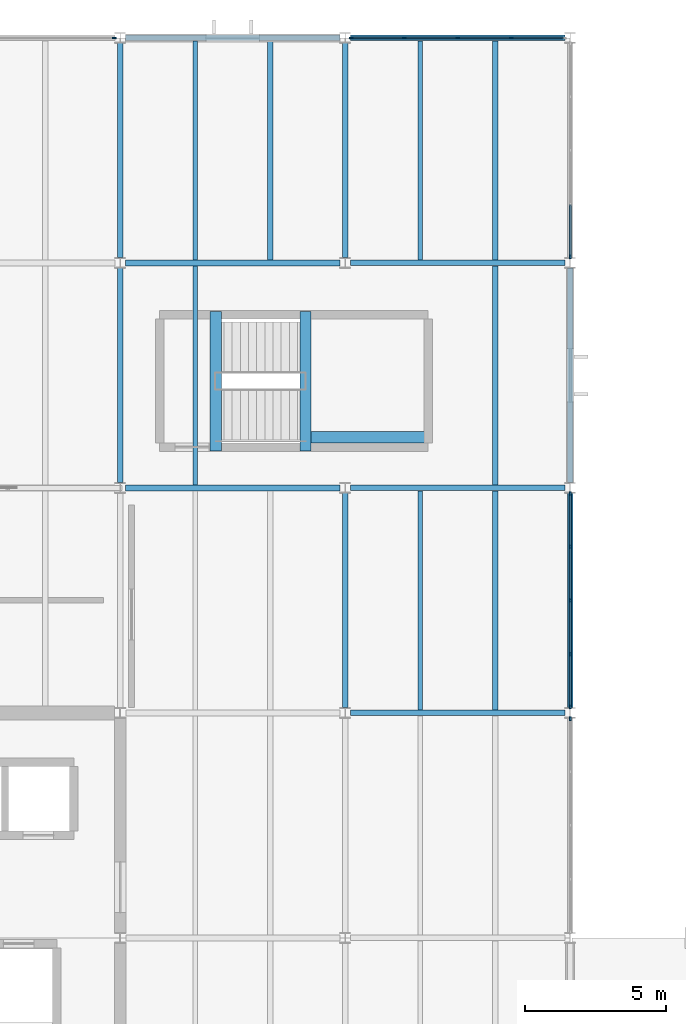
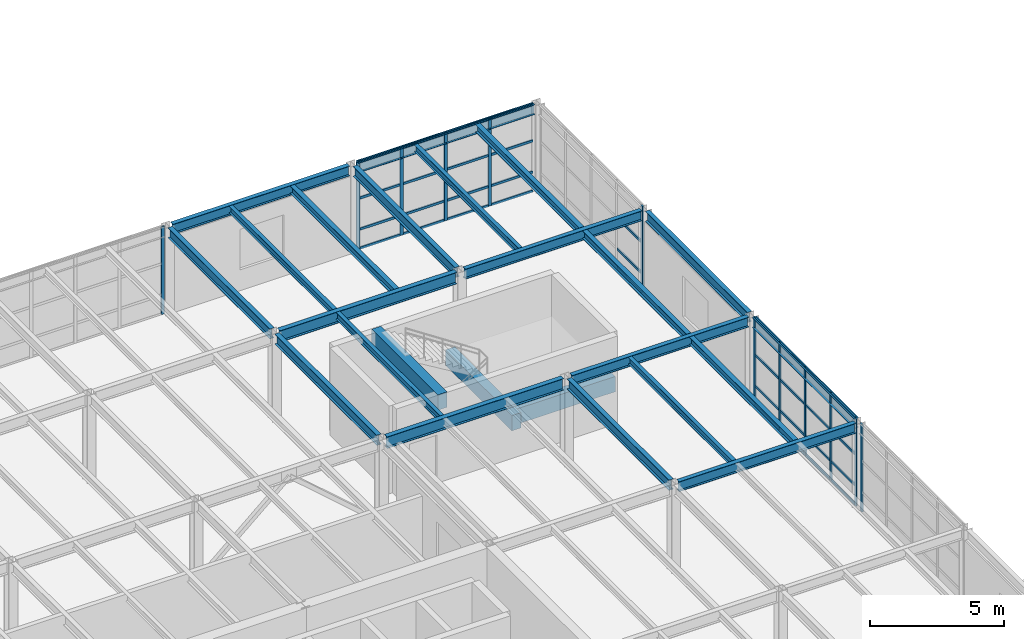
# One storey, part 20 of 50: 47 members, 24 beams, 5 elements without a shape of their own.
"""IFC4 building model written with IfcOpenShell, lengths in metres."""

from ifc_helpers import new_model, si_unit, direction, frame, origin, origin_2d, place, context, subcontext, project, spatial, rectangle, i_section, extrude, material, layer, layer_set, material_profile, profile_set, type_object, element, aggregate, save


model = new_model("IFC4")

# Units and contexts
model_context = context("Model", 3, precision=1e-05, world=origin(), true_north=direction((0.0, 1.0)))
body_context = subcontext(model_context, "Body", "Model", "MODEL_VIEW")
ifc_project = project(units=[si_unit("LENGTHUNIT", "METRE"), si_unit("AREAUNIT", "SQUARE_METRE"), si_unit("VOLUMEUNIT", "CUBIC_METRE"), si_unit("PLANEANGLEUNIT", "RADIAN"), si_unit("MASSUNIT", "GRAM", prefix="KILO")], contexts=[model_context])

# Site, building, storey
site_placement = place(None, origin())
site = spatial("IfcSite", under=ifc_project, at=site_placement, CompositionType="ELEMENT")
building_placement = place(site_placement, origin())
building = spatial("IfcBuilding", under=site, at=building_placement, Name="Varnela Railside Interchange", CompositionType="ELEMENT")
storey_placement = place(building_placement, frame((0.0, 0.0, 15.39990234375)))
storey = spatial("IfcBuildingStorey", under=building, at=storey_placement, Name="L03", CompositionType="ELEMENT", Elevation=15.39990234375)

# Beams
ifc_material_1 = material(Name="Steel AR 350 (350 MPa)", Category="steel")
ifc_material_profile_1 = material_profile(ifc_material_1, i_section(OverallWidth=0.1650390625, OverallDepth=0.31005859375, WebThickness=0.005859375, FlangeThickness=0.009765625, at=origin_2d()), Name="W310x38.7")
ifc_profile_set_1 = profile_set([ifc_material_profile_1], Name="Steel AR 350 (350 MPa)")
beam_type_1 = type_object("IfcBeamType", Name="Composite Floor Joist J-04", PredefinedType="JOIST", material=ifc_profile_set_1)
for number, where, z_axis, x_axis, name in (
    (1, (38.669921875, 78.1044921875, 3.84521484375), (0.0, 1.0, 0.0), (-1.0, 0.0, 0.0), "Composite Floor Joist J-04 (L03) (BM-2201)"),
    (2, (38.669921875, 86.1044921875, 3.84521484375), (0.0, 1.0, 0.0), (-1.0, 0.0, 0.0), "Composite Floor Joist J-04 (L03) (BM-2191)"),
    (3, (46.669921875, 70.1044921875, 3.84521484375), (0.0, 1.0, 0.0), (-1.0, 0.0, 0.0), "Composite Floor Joist J-04 (L03) (BM-2210)"),
    (4, (46.669921875, 86.1044921875, 3.84521484375), (0.0, 1.0, 0.0), (-1.0, 0.0, 0.0), "Composite Floor Joist J-04 (L03) (BM-2202)"),
):
    element("IfcBeam", number, at=place(storey_placement, frame(where, z_axis=z_axis, x_axis=x_axis)), inside=storey, type_object=beam_type_1, Name=name, PredefinedType="JOIST", context=body_context, shape_type="SweptSolid", body=[
        extrude(i_section(OverallWidth=0.1650390625, OverallDepth=0.31005859375, WebThickness=0.005859375, FlangeThickness=0.009765625, at=origin_2d()), origin(), (0.0, 0.0, 1.0), 7.791015625),
    ])
ifc_material_profile_2 = material_profile(ifc_material_1, i_section(OverallWidth=0.208984375, OverallDepth=0.532958984375, WebThickness=0.01025390625, FlangeThickness=0.015625, at=origin_2d()), Name="W530x92")
ifc_profile_set_2 = profile_set([ifc_material_profile_2], Name="Steel AR 350 (350 MPa)")
beam_type_2 = type_object("IfcBeamType", Name="Composite Girder B-18", PredefinedType="BEAM", material=ifc_profile_set_2)
for number, where, z_axis, x_axis, name in (
    (5, (36.1865234375, 78.0, 3.733642578125), (1.0, 0.0, 0.0), (0.0, 1.0, 0.0), "Composite Girder B-18 (L03) (BM-2255)"),
    (6, (36.1865234375, 86.0, 3.733642578125), (1.0, 0.0, 0.0), (0.0, 1.0, 0.0), "Composite Girder B-18 (L03) (BM-2264)"),
):
    element("IfcBeam", number, at=place(storey_placement, frame(where, z_axis=z_axis, x_axis=x_axis)), inside=storey, type_object=beam_type_2, Name=name, PredefinedType="BEAM", context=body_context, shape_type="SweptSolid", body=[
        extrude(i_section(OverallWidth=0.208984375, OverallDepth=0.532958984375, WebThickness=0.01025390625, FlangeThickness=0.015625, at=origin_2d()), origin(), (0.0, 0.0, 1.0), 7.626953125),
    ])
ifc_material_profile_3 = material_profile(ifc_material_1, i_section(OverallWidth=0.202880859375, OverallDepth=0.346923828125, WebThickness=0.0078125, FlangeThickness=0.013427734375, at=origin_2d()), Name="W360x64")
ifc_profile_set_3 = profile_set([ifc_material_profile_3], Name="Steel AR 350 (350 MPa)")
beam_type_3 = type_object("IfcBeamType", Name="Composite Heavy Joist J-01", PredefinedType="JOIST", material=ifc_profile_set_3)
for number, where, z_axis, x_axis, name in (
    (7, (41.330078125, 86.1044921875, 3.82666015625), (0.0, 1.0, 0.0), (-1.0, 0.0, 0.0), "Composite Heavy Joist J-01 (L03) (BM-2192)"),
    (8, (49.330078125, 70.1044921875, 3.82666015625), (0.0, 1.0, 0.0), (-1.0, 0.0, 0.0), "Composite Heavy Joist J-01 (L03) (BM-2211)"),
    (9, (49.330078125, 78.1044921875, 3.82666015625), (0.0, 1.0, 0.0), (-1.0, 0.0, 0.0), "Composite Heavy Joist J-01 (L03) (BM-2212)"),
    (10, (49.330078125, 86.1044921875, 3.82666015625), (0.0, 1.0, 0.0), (-1.0, 0.0, 0.0), "Composite Heavy Joist J-01 (L03) (BM-2203)"),
):
    element("IfcBeam", number, at=place(storey_placement, frame(where, z_axis=z_axis, x_axis=x_axis)), inside=storey, type_object=beam_type_3, Name=name, PredefinedType="JOIST", context=body_context, shape_type="SweptSolid", body=[
        extrude(i_section(OverallWidth=0.202880859375, OverallDepth=0.346923828125, WebThickness=0.0078125, FlangeThickness=0.013427734375, at=origin_2d()), origin(), (0.0, 0.0, 1.0), 7.791015625),
    ])
ifc_material_profile_4 = material_profile(ifc_material_1, i_section(OverallWidth=0.194091796875, OverallDepth=0.468994140625, WebThickness=0.0126953125, FlangeThickness=0.0205078125, at=origin_2d()), Name="W460x106")
ifc_profile_set_4 = profile_set([ifc_material_profile_4], Name="Steel AR 350 (350 MPa)")
beam_type_4 = type_object("IfcBeamType", Name="Composite Primary Beam B-19", PredefinedType="BEAM", material=ifc_profile_set_4)
for number, where, z_axis, x_axis, name in (
    (11, (36.0, 78.18408203125, 3.765625), (0.0, 1.0, 0.0), (-1.0, 0.0, 0.0), "Composite Primary Beam B-19 (L03) (BM-2327)"),
    (12, (44.0, 70.18408203125, 3.765625), (0.0, 1.0, 0.0), (-1.0, 0.0, 0.0), "Composite Primary Beam B-19 (L03) (BM-2333)"),
):
    element("IfcBeam", number, at=place(storey_placement, frame(where, z_axis=z_axis, x_axis=x_axis)), inside=storey, type_object=beam_type_4, Name=name, PredefinedType="BEAM", context=body_context, shape_type="SweptSolid", body=[
        extrude(i_section(OverallWidth=0.194091796875, OverallDepth=0.468994140625, WebThickness=0.0126953125, FlangeThickness=0.0205078125, at=origin_2d()), origin(), (0.0, 0.0, 1.0), 7.6318359375),
    ])
ifc_material_2 = material(Name="Concrete C40", Category="concrete")
ifc_material_profile_5 = material_profile(ifc_material_2, rectangle(XDim=0.39990234375, YDim=0.699951171875, at=origin_2d()), Name="RC 400x700")
ifc_profile_set_5 = profile_set([ifc_material_profile_5], Name="Concrete C40")
beam_type_5 = type_object("IfcBeamType", Name="Concrete Tie Beam B-01", PredefinedType="BEAM", material=ifc_profile_set_5)
for number, where, z_axis, x_axis, name in (
    (13, (39.39990234375, 79.320068359375, 3.650146484375), (0.0, 1.0, 0.0), (-1.0, 0.0, 0.0), "Concrete Tie Beam B-01 (L03) (BM-2365)"),
    (14, (42.590087890625, 79.320068359375, 1.590087890625), (0.0, 1.0, 0.0), (-1.0, 0.0, 0.0), "Concrete Tie Beam B-01 (L03) (BM-2359)"),
):
    element("IfcBeam", number, at=place(storey_placement, frame(where, z_axis=z_axis, x_axis=x_axis)), inside=storey, type_object=beam_type_5, Name=name, PredefinedType="BEAM", context=body_context, shape_type="SweptSolid", body=[
        extrude(rectangle(XDim=0.39990234375, YDim=0.699951171875, at=origin_2d()), origin(), (0.0, 0.0, 1.0), 4.9599609375),
    ])
beam_placement = place(storey_placement, frame((42.7900390625, 79.800048828125, 1.590087890625), z_axis=(1.0, 0.0, 0.0), x_axis=(0.0, 1.0, 0.0)))
element("IfcBeam", 15, at=beam_placement, inside=storey, type_object=beam_type_5, Name="Concrete Tie Beam B-01 (L03) (BM-2353)", PredefinedType="BEAM", context=body_context, shape_type="SweptSolid", body=[
    extrude(rectangle(XDim=0.39990234375, YDim=0.699951171875, at=origin_2d()), origin(), (0.0, 0.0, 1.0), 4.22998046875),
])

# Curtain wall, member
ifc_material_3 = material(Name="Aluminium 6063-T6", Category="aluminium")
ifc_layer = layer(ifc_material_3, 0.035888671875)
ifc_layer_set = layer_set([ifc_layer], Name="Aluminium 6063-T6")
curtain_wall_type = type_object("IfcCurtainWallType", Name="Operations Wing Facade Curtain Wall CW-03", PredefinedType="USERDEFINED", material=ifc_layer_set)
curtain_wall_1_placement = place(storey_placement, origin())
curtain_wall_1 = element("IfcCurtainWall", 16, at=curtain_wall_1_placement, inside=storey, type_object=curtain_wall_type, Name="Curtain Wall CW-03 (L03) (CW-082)", ObjectType="CURTAIN WALL", PredefinedType="USERDEFINED")
ifc_material_profile_6 = material_profile(ifc_material_3, rectangle(XDim=0.06005859375, YDim=0.139892578125, at=origin_2d()), Name="ALU 60x140")
ifc_profile_set_6 = profile_set([ifc_material_profile_6], Name="Aluminium 6063-T6")
member_type_1 = type_object("IfcMemberType", Name="Curtain Wall Mullion ML-01", PredefinedType="MULLION", material=ifc_profile_set_6)
member_1_placement = place(storey_placement, frame((35.783447265625, 94.0, 0.0), z_axis=(0.0, 0.0, 1.0), x_axis=(0.0, 1.0, 0.0)))
member_1 = element("IfcMember", 17, at=member_1_placement, type_object=member_type_1, Name="CW-03 mullion 5", PredefinedType="MULLION", context=body_context, shape_type="SweptSolid", body=[
    extrude(rectangle(XDim=0.06005859375, YDim=0.139892578125, at=origin_2d()), origin(), (0.0, 0.0, 1.0), 4.0),
])
aggregate(curtain_wall_1, [member_1])

# Curtain wall, members
curtain_wall_2_placement = place(storey_placement, origin())
curtain_wall_2 = element("IfcCurtainWall", 18, at=curtain_wall_2_placement, inside=storey, type_object=curtain_wall_type, Name="Curtain Wall CW-03 (L03) (CW-083)", ObjectType="CURTAIN WALL", PredefinedType="USERDEFINED")
member_2_placement = place(storey_placement, frame((44.216552734375, 94.0, 0.0), z_axis=(0.0, 0.0, 1.0), x_axis=(0.0, 1.0, 0.0)))
member_2 = element("IfcMember", 19, at=member_2_placement, type_object=member_type_1, Name="CW-03 mullion 1", PredefinedType="MULLION", context=body_context, shape_type="SweptSolid", body=[
    extrude(rectangle(XDim=0.06005859375, YDim=0.139892578125, at=origin_2d()), origin(), (0.0, 0.0, 1.0), 4.0),
])
member_3_placement = place(storey_placement, frame((46.09326171875, 94.0, 0.0), z_axis=(0.0, 0.0, 1.0), x_axis=(0.0, 1.0, 0.0)))
member_3 = element("IfcMember", 20, at=member_3_placement, type_object=member_type_1, Name="CW-03 mullion 2", PredefinedType="MULLION", context=body_context, shape_type="SweptSolid", body=[
    extrude(rectangle(XDim=0.06005859375, YDim=0.139892578125, at=origin_2d()), origin(), (0.0, 0.0, 1.0), 4.0),
])
member_4_placement = place(storey_placement, frame((48.0, 94.0, 0.0), z_axis=(0.0, 0.0, 1.0), x_axis=(0.0, 1.0, 0.0)))
member_4 = element("IfcMember", 21, at=member_4_placement, type_object=member_type_1, Name="CW-03 mullion 3", PredefinedType="MULLION", context=body_context, shape_type="SweptSolid", body=[
    extrude(rectangle(XDim=0.06005859375, YDim=0.139892578125, at=origin_2d()), origin(), (0.0, 0.0, 1.0), 4.0),
])
member_5_placement = place(storey_placement, frame((49.90673828125, 94.0, 0.0), z_axis=(0.0, 0.0, 1.0), x_axis=(0.0, 1.0, 0.0)))
member_5 = element("IfcMember", 22, at=member_5_placement, type_object=member_type_1, Name="CW-03 mullion 4", PredefinedType="MULLION", context=body_context, shape_type="SweptSolid", body=[
    extrude(rectangle(XDim=0.06005859375, YDim=0.139892578125, at=origin_2d()), origin(), (0.0, 0.0, 1.0), 4.0),
])

# Curtain wall, member
curtain_wall_3_placement = place(storey_placement, origin())
curtain_wall_3 = element("IfcCurtainWall", 23, at=curtain_wall_3_placement, inside=storey, type_object=curtain_wall_type, Name="Curtain Wall CW-03 (L03) (CW-085)", ObjectType="CURTAIN WALL", PredefinedType="USERDEFINED")
member_6_placement = place(storey_placement, frame((52.0, 86.214111328125, 0.0), z_axis=(0.0, 0.0, 1.0), x_axis=(1.0, 0.0, 0.0)))
member_6 = element("IfcMember", 24, at=member_6_placement, type_object=member_type_1, Name="CW-03 mullion 5", PredefinedType="MULLION", context=body_context, shape_type="SweptSolid", body=[
    extrude(rectangle(XDim=0.06005859375, YDim=0.139892578125, at=origin_2d()), origin(), (0.0, 0.0, 1.0), 4.0),
])

# Curtain wall, members
curtain_wall_4_placement = place(storey_placement, origin())
curtain_wall_4 = element("IfcCurtainWall", 25, at=curtain_wall_4_placement, inside=storey, type_object=curtain_wall_type, Name="Curtain Wall CW-03 (L03) (CW-086)", ObjectType="CURTAIN WALL", PredefinedType="USERDEFINED")
member_7_placement = place(storey_placement, frame((52.0, 77.785888671875, 0.0), z_axis=(0.0, 0.0, 1.0), x_axis=(1.0, 0.0, 0.0)))
member_7 = element("IfcMember", 26, at=member_7_placement, type_object=member_type_1, Name="CW-03 mullion 1", PredefinedType="MULLION", context=body_context, shape_type="SweptSolid", body=[
    extrude(rectangle(XDim=0.06005859375, YDim=0.139892578125, at=origin_2d()), origin(), (0.0, 0.0, 1.0), 4.0),
])
member_8_placement = place(storey_placement, frame((52.0, 75.907958984375, 0.0), z_axis=(0.0, 0.0, 1.0), x_axis=(1.0, 0.0, 0.0)))
member_8 = element("IfcMember", 27, at=member_8_placement, type_object=member_type_1, Name="CW-03 mullion 2", PredefinedType="MULLION", context=body_context, shape_type="SweptSolid", body=[
    extrude(rectangle(XDim=0.06005859375, YDim=0.139892578125, at=origin_2d()), origin(), (0.0, 0.0, 1.0), 4.0),
])
member_9_placement = place(storey_placement, frame((52.0, 74.0, 0.0), z_axis=(0.0, 0.0, 1.0), x_axis=(1.0, 0.0, 0.0)))
member_9 = element("IfcMember", 28, at=member_9_placement, type_object=member_type_1, Name="CW-03 mullion 3", PredefinedType="MULLION", context=body_context, shape_type="SweptSolid", body=[
    extrude(rectangle(XDim=0.06005859375, YDim=0.139892578125, at=origin_2d()), origin(), (0.0, 0.0, 1.0), 4.0),
])
member_10_placement = place(storey_placement, frame((52.0, 72.092041015625, 0.0), z_axis=(0.0, 0.0, 1.0), x_axis=(1.0, 0.0, 0.0)))
member_10 = element("IfcMember", 29, at=member_10_placement, type_object=member_type_1, Name="CW-03 mullion 4", PredefinedType="MULLION", context=body_context, shape_type="SweptSolid", body=[
    extrude(rectangle(XDim=0.06005859375, YDim=0.139892578125, at=origin_2d()), origin(), (0.0, 0.0, 1.0), 4.0),
])
member_11_placement = place(storey_placement, frame((52.0, 70.214111328125, 0.0), z_axis=(0.0, 0.0, 1.0), x_axis=(1.0, 0.0, 0.0)))
member_11 = element("IfcMember", 30, at=member_11_placement, type_object=member_type_1, Name="CW-03 mullion 5", PredefinedType="MULLION", context=body_context, shape_type="SweptSolid", body=[
    extrude(rectangle(XDim=0.06005859375, YDim=0.139892578125, at=origin_2d()), origin(), (0.0, 0.0, 1.0), 4.0),
])

# Curtain wall, member
curtain_wall_5_placement = place(storey_placement, origin())
curtain_wall_5 = element("IfcCurtainWall", 31, at=curtain_wall_5_placement, inside=storey, type_object=curtain_wall_type, Name="Curtain Wall CW-03 (L03) (CW-087)", ObjectType="CURTAIN WALL", PredefinedType="USERDEFINED")
member_12_placement = place(storey_placement, frame((52.0, 69.785888671875, 0.0), z_axis=(0.0, 0.0, 1.0), x_axis=(1.0, 0.0, 0.0)))
member_12 = element("IfcMember", 32, at=member_12_placement, type_object=member_type_1, Name="CW-03 mullion 1", PredefinedType="MULLION", context=body_context, shape_type="SweptSolid", body=[
    extrude(rectangle(XDim=0.06005859375, YDim=0.139892578125, at=origin_2d()), origin(), (0.0, 0.0, 1.0), 4.0),
])
aggregate(curtain_wall_5, [member_12])

# Member
ifc_material_profile_7 = material_profile(ifc_material_3, rectangle(XDim=0.06005859375, YDim=0.110107421875, at=origin_2d()), Name="ALU 60x110")
ifc_profile_set_7 = profile_set([ifc_material_profile_7], Name="Aluminium 6063-T6")
member_type_2 = type_object("IfcMemberType", Name="Curtain Wall Transom TR-01", PredefinedType="USERDEFINED", material=ifc_profile_set_7)
member_13_placement = place(storey_placement, frame((44.24658203125, 94.0, 0.030029296875), z_axis=(1.0, 0.0, 0.0), x_axis=(0.0, 1.0, 0.0)))
member_13 = element("IfcMember", 33, at=member_13_placement, type_object=member_type_2, Name="CW-03 transom 1.1", ObjectType="TRANSOM", PredefinedType="USERDEFINED", context=body_context, shape_type="SweptSolid", body=[
    extrude(rectangle(XDim=0.06005859375, YDim=0.110107421875, at=origin_2d()), origin(), (0.0, 0.0, 1.0), 1.816650390625),
])

member_14_placement = place(storey_placement, frame((44.24658203125, 94.0, 0.900146484375), z_axis=(1.0, 0.0, 0.0), x_axis=(0.0, 1.0, 0.0)))
member_14 = element("IfcMember", 34, at=member_14_placement, type_object=member_type_2, Name="CW-03 transom 1.2", ObjectType="TRANSOM", PredefinedType="USERDEFINED", context=body_context, shape_type="SweptSolid", body=[
    extrude(rectangle(XDim=0.06005859375, YDim=0.110107421875, at=origin_2d()), origin(), (0.0, 0.0, 1.0), 1.816650390625),
])

member_15_placement = place(storey_placement, frame((44.24658203125, 94.0, 2.320068359375), z_axis=(1.0, 0.0, 0.0), x_axis=(0.0, 1.0, 0.0)))
member_15 = element("IfcMember", 35, at=member_15_placement, type_object=member_type_2, Name="CW-03 transom 1.3", ObjectType="TRANSOM", PredefinedType="USERDEFINED", context=body_context, shape_type="SweptSolid", body=[
    extrude(rectangle(XDim=0.06005859375, YDim=0.110107421875, at=origin_2d()), origin(), (0.0, 0.0, 1.0), 1.816650390625),
])

member_16_placement = place(storey_placement, frame((44.24658203125, 94.0, 3.97021484375), z_axis=(1.0, 0.0, 0.0), x_axis=(0.0, 1.0, 0.0)))
member_16 = element("IfcMember", 36, at=member_16_placement, type_object=member_type_2, Name="CW-03 transom 1.4", ObjectType="TRANSOM", PredefinedType="USERDEFINED", context=body_context, shape_type="SweptSolid", body=[
    extrude(rectangle(XDim=0.06005859375, YDim=0.110107421875, at=origin_2d()), origin(), (0.0, 0.0, 1.0), 1.816650390625),
])

member_17_placement = place(storey_placement, frame((46.123291015625, 94.0, 0.030029296875), z_axis=(1.0, 0.0, 0.0), x_axis=(0.0, 1.0, 0.0)))
member_17 = element("IfcMember", 37, at=member_17_placement, type_object=member_type_2, Name="CW-03 transom 2.1", ObjectType="TRANSOM", PredefinedType="USERDEFINED", context=body_context, shape_type="SweptSolid", body=[
    extrude(rectangle(XDim=0.06005859375, YDim=0.110107421875, at=origin_2d()), origin(), (0.0, 0.0, 1.0), 1.8466796875),
])

member_18_placement = place(storey_placement, frame((46.123291015625, 94.0, 0.900146484375), z_axis=(1.0, 0.0, 0.0), x_axis=(0.0, 1.0, 0.0)))
member_18 = element("IfcMember", 38, at=member_18_placement, type_object=member_type_2, Name="CW-03 transom 2.2", ObjectType="TRANSOM", PredefinedType="USERDEFINED", context=body_context, shape_type="SweptSolid", body=[
    extrude(rectangle(XDim=0.06005859375, YDim=0.110107421875, at=origin_2d()), origin(), (0.0, 0.0, 1.0), 1.8466796875),
])

member_19_placement = place(storey_placement, frame((46.123291015625, 94.0, 2.320068359375), z_axis=(1.0, 0.0, 0.0), x_axis=(0.0, 1.0, 0.0)))
member_19 = element("IfcMember", 39, at=member_19_placement, type_object=member_type_2, Name="CW-03 transom 2.3", ObjectType="TRANSOM", PredefinedType="USERDEFINED", context=body_context, shape_type="SweptSolid", body=[
    extrude(rectangle(XDim=0.06005859375, YDim=0.110107421875, at=origin_2d()), origin(), (0.0, 0.0, 1.0), 1.8466796875),
])

member_20_placement = place(storey_placement, frame((46.123291015625, 94.0, 3.97021484375), z_axis=(1.0, 0.0, 0.0), x_axis=(0.0, 1.0, 0.0)))
member_20 = element("IfcMember", 40, at=member_20_placement, type_object=member_type_2, Name="CW-03 transom 2.4", ObjectType="TRANSOM", PredefinedType="USERDEFINED", context=body_context, shape_type="SweptSolid", body=[
    extrude(rectangle(XDim=0.06005859375, YDim=0.110107421875, at=origin_2d()), origin(), (0.0, 0.0, 1.0), 1.8466796875),
])

member_21_placement = place(storey_placement, frame((48.030029296875, 94.0, 0.030029296875), z_axis=(1.0, 0.0, 0.0), x_axis=(0.0, 1.0, 0.0)))
member_21 = element("IfcMember", 41, at=member_21_placement, type_object=member_type_2, Name="CW-03 transom 3.1", ObjectType="TRANSOM", PredefinedType="USERDEFINED", context=body_context, shape_type="SweptSolid", body=[
    extrude(rectangle(XDim=0.06005859375, YDim=0.110107421875, at=origin_2d()), origin(), (0.0, 0.0, 1.0), 1.8466796875),
])

member_22_placement = place(storey_placement, frame((48.030029296875, 94.0, 0.900146484375), z_axis=(1.0, 0.0, 0.0), x_axis=(0.0, 1.0, 0.0)))
member_22 = element("IfcMember", 42, at=member_22_placement, type_object=member_type_2, Name="CW-03 transom 3.2", ObjectType="TRANSOM", PredefinedType="USERDEFINED", context=body_context, shape_type="SweptSolid", body=[
    extrude(rectangle(XDim=0.06005859375, YDim=0.110107421875, at=origin_2d()), origin(), (0.0, 0.0, 1.0), 1.8466796875),
])

member_23_placement = place(storey_placement, frame((48.030029296875, 94.0, 2.320068359375), z_axis=(1.0, 0.0, 0.0), x_axis=(0.0, 1.0, 0.0)))
member_23 = element("IfcMember", 43, at=member_23_placement, type_object=member_type_2, Name="CW-03 transom 3.3", ObjectType="TRANSOM", PredefinedType="USERDEFINED", context=body_context, shape_type="SweptSolid", body=[
    extrude(rectangle(XDim=0.06005859375, YDim=0.110107421875, at=origin_2d()), origin(), (0.0, 0.0, 1.0), 1.8466796875),
])

member_24_placement = place(storey_placement, frame((48.030029296875, 94.0, 3.97021484375), z_axis=(1.0, 0.0, 0.0), x_axis=(0.0, 1.0, 0.0)))
member_24 = element("IfcMember", 44, at=member_24_placement, type_object=member_type_2, Name="CW-03 transom 3.4", ObjectType="TRANSOM", PredefinedType="USERDEFINED", context=body_context, shape_type="SweptSolid", body=[
    extrude(rectangle(XDim=0.06005859375, YDim=0.110107421875, at=origin_2d()), origin(), (0.0, 0.0, 1.0), 1.8466796875),
])

member_25_placement = place(storey_placement, frame((49.936767578125, 94.0, 0.030029296875), z_axis=(1.0, 0.0, 0.0), x_axis=(0.0, 1.0, 0.0)))
member_25 = element("IfcMember", 45, at=member_25_placement, type_object=member_type_2, Name="CW-03 transom 4.1", ObjectType="TRANSOM", PredefinedType="USERDEFINED", context=body_context, shape_type="SweptSolid", body=[
    extrude(rectangle(XDim=0.06005859375, YDim=0.110107421875, at=origin_2d()), origin(), (0.0, 0.0, 1.0), 1.816650390625),
])

member_26_placement = place(storey_placement, frame((49.936767578125, 94.0, 0.900146484375), z_axis=(1.0, 0.0, 0.0), x_axis=(0.0, 1.0, 0.0)))
member_26 = element("IfcMember", 46, at=member_26_placement, type_object=member_type_2, Name="CW-03 transom 4.2", ObjectType="TRANSOM", PredefinedType="USERDEFINED", context=body_context, shape_type="SweptSolid", body=[
    extrude(rectangle(XDim=0.06005859375, YDim=0.110107421875, at=origin_2d()), origin(), (0.0, 0.0, 1.0), 1.816650390625),
])

member_27_placement = place(storey_placement, frame((49.936767578125, 94.0, 2.320068359375), z_axis=(1.0, 0.0, 0.0), x_axis=(0.0, 1.0, 0.0)))
member_27 = element("IfcMember", 47, at=member_27_placement, type_object=member_type_2, Name="CW-03 transom 4.3", ObjectType="TRANSOM", PredefinedType="USERDEFINED", context=body_context, shape_type="SweptSolid", body=[
    extrude(rectangle(XDim=0.06005859375, YDim=0.110107421875, at=origin_2d()), origin(), (0.0, 0.0, 1.0), 1.816650390625),
])

member_28_placement = place(storey_placement, frame((49.936767578125, 94.0, 3.97021484375), z_axis=(1.0, 0.0, 0.0), x_axis=(0.0, 1.0, 0.0)))
member_28 = element("IfcMember", 48, at=member_28_placement, type_object=member_type_2, Name="CW-03 transom 4.4", ObjectType="TRANSOM", PredefinedType="USERDEFINED", context=body_context, shape_type="SweptSolid", body=[
    extrude(rectangle(XDim=0.06005859375, YDim=0.110107421875, at=origin_2d()), origin(), (0.0, 0.0, 1.0), 1.816650390625),
])

aggregate(curtain_wall_2, [member_2, member_3, member_4, member_5, member_13, member_14, member_15, member_16, member_17, member_18, member_19, member_20, member_21, member_22, member_23, member_24, member_25, member_26, member_27, member_28])

member_29_placement = place(storey_placement, frame((52.0, 88.06201171875, 0.030029296875), z_axis=(0.0, -1.0, 0.0), x_axis=(1.0, 0.0, 0.0)))
member_29 = element("IfcMember", 49, at=member_29_placement, type_object=member_type_2, Name="CW-03 transom 4.1", ObjectType="TRANSOM", PredefinedType="USERDEFINED", context=body_context, shape_type="SweptSolid", body=[
    extrude(rectangle(XDim=0.06005859375, YDim=0.110107421875, at=origin_2d()), origin(), (0.0, 0.0, 1.0), 1.818115234375),
])

member_30_placement = place(storey_placement, frame((52.0, 88.06201171875, 0.900146484375), z_axis=(0.0, -1.0, 0.0), x_axis=(1.0, 0.0, 0.0)))
member_30 = element("IfcMember", 50, at=member_30_placement, type_object=member_type_2, Name="CW-03 transom 4.2", ObjectType="TRANSOM", PredefinedType="USERDEFINED", context=body_context, shape_type="SweptSolid", body=[
    extrude(rectangle(XDim=0.06005859375, YDim=0.110107421875, at=origin_2d()), origin(), (0.0, 0.0, 1.0), 1.818115234375),
])

member_31_placement = place(storey_placement, frame((52.0, 88.06201171875, 2.320068359375), z_axis=(0.0, -1.0, 0.0), x_axis=(1.0, 0.0, 0.0)))
member_31 = element("IfcMember", 51, at=member_31_placement, type_object=member_type_2, Name="CW-03 transom 4.3", ObjectType="TRANSOM", PredefinedType="USERDEFINED", context=body_context, shape_type="SweptSolid", body=[
    extrude(rectangle(XDim=0.06005859375, YDim=0.110107421875, at=origin_2d()), origin(), (0.0, 0.0, 1.0), 1.818115234375),
])

aggregate(curtain_wall_3, [member_6, member_29, member_30, member_31])

member_32_placement = place(storey_placement, frame((52.0, 77.756103515625, 0.030029296875), z_axis=(0.0, -1.0, 0.0), x_axis=(1.0, 0.0, 0.0)))
member_32 = element("IfcMember", 52, at=member_32_placement, type_object=member_type_2, Name="CW-03 transom 1.1", ObjectType="TRANSOM", PredefinedType="USERDEFINED", context=body_context, shape_type="SweptSolid", body=[
    extrude(rectangle(XDim=0.06005859375, YDim=0.110107421875, at=origin_2d()), origin(), (0.0, 0.0, 1.0), 1.818115234375),
])

member_33_placement = place(storey_placement, frame((52.0, 77.756103515625, 0.900146484375), z_axis=(0.0, -1.0, 0.0), x_axis=(1.0, 0.0, 0.0)))
member_33 = element("IfcMember", 53, at=member_33_placement, type_object=member_type_2, Name="CW-03 transom 1.2", ObjectType="TRANSOM", PredefinedType="USERDEFINED", context=body_context, shape_type="SweptSolid", body=[
    extrude(rectangle(XDim=0.06005859375, YDim=0.110107421875, at=origin_2d()), origin(), (0.0, 0.0, 1.0), 1.818115234375),
])

member_34_placement = place(storey_placement, frame((52.0, 77.756103515625, 2.320068359375), z_axis=(0.0, -1.0, 0.0), x_axis=(1.0, 0.0, 0.0)))
member_34 = element("IfcMember", 54, at=member_34_placement, type_object=member_type_2, Name="CW-03 transom 1.3", ObjectType="TRANSOM", PredefinedType="USERDEFINED", context=body_context, shape_type="SweptSolid", body=[
    extrude(rectangle(XDim=0.06005859375, YDim=0.110107421875, at=origin_2d()), origin(), (0.0, 0.0, 1.0), 1.818115234375),
])

member_35_placement = place(storey_placement, frame((52.0, 77.756103515625, 3.97021484375), z_axis=(0.0, -1.0, 0.0), x_axis=(1.0, 0.0, 0.0)))
member_35 = element("IfcMember", 55, at=member_35_placement, type_object=member_type_2, Name="CW-03 transom 1.4", ObjectType="TRANSOM", PredefinedType="USERDEFINED", context=body_context, shape_type="SweptSolid", body=[
    extrude(rectangle(XDim=0.06005859375, YDim=0.110107421875, at=origin_2d()), origin(), (0.0, 0.0, 1.0), 1.818115234375),
])

member_36_placement = place(storey_placement, frame((52.0, 75.8779296875, 0.030029296875), z_axis=(0.0, -1.0, 0.0), x_axis=(1.0, 0.0, 0.0)))
member_36 = element("IfcMember", 56, at=member_36_placement, type_object=member_type_2, Name="CW-03 transom 2.1", ObjectType="TRANSOM", PredefinedType="USERDEFINED", context=body_context, shape_type="SweptSolid", body=[
    extrude(rectangle(XDim=0.06005859375, YDim=0.110107421875, at=origin_2d()), origin(), (0.0, 0.0, 1.0), 1.847900390625),
])

member_37_placement = place(storey_placement, frame((52.0, 75.8779296875, 0.900146484375), z_axis=(0.0, -1.0, 0.0), x_axis=(1.0, 0.0, 0.0)))
member_37 = element("IfcMember", 57, at=member_37_placement, type_object=member_type_2, Name="CW-03 transom 2.2", ObjectType="TRANSOM", PredefinedType="USERDEFINED", context=body_context, shape_type="SweptSolid", body=[
    extrude(rectangle(XDim=0.06005859375, YDim=0.110107421875, at=origin_2d()), origin(), (0.0, 0.0, 1.0), 1.847900390625),
])

member_38_placement = place(storey_placement, frame((52.0, 75.8779296875, 2.320068359375), z_axis=(0.0, -1.0, 0.0), x_axis=(1.0, 0.0, 0.0)))
member_38 = element("IfcMember", 58, at=member_38_placement, type_object=member_type_2, Name="CW-03 transom 2.3", ObjectType="TRANSOM", PredefinedType="USERDEFINED", context=body_context, shape_type="SweptSolid", body=[
    extrude(rectangle(XDim=0.06005859375, YDim=0.110107421875, at=origin_2d()), origin(), (0.0, 0.0, 1.0), 1.847900390625),
])

member_39_placement = place(storey_placement, frame((52.0, 75.8779296875, 3.97021484375), z_axis=(0.0, -1.0, 0.0), x_axis=(1.0, 0.0, 0.0)))
member_39 = element("IfcMember", 59, at=member_39_placement, type_object=member_type_2, Name="CW-03 transom 2.4", ObjectType="TRANSOM", PredefinedType="USERDEFINED", context=body_context, shape_type="SweptSolid", body=[
    extrude(rectangle(XDim=0.06005859375, YDim=0.110107421875, at=origin_2d()), origin(), (0.0, 0.0, 1.0), 1.847900390625),
])

member_40_placement = place(storey_placement, frame((52.0, 73.969970703125, 0.030029296875), z_axis=(0.0, -1.0, 0.0), x_axis=(1.0, 0.0, 0.0)))
member_40 = element("IfcMember", 60, at=member_40_placement, type_object=member_type_2, Name="CW-03 transom 3.1", ObjectType="TRANSOM", PredefinedType="USERDEFINED", context=body_context, shape_type="SweptSolid", body=[
    extrude(rectangle(XDim=0.06005859375, YDim=0.110107421875, at=origin_2d()), origin(), (0.0, 0.0, 1.0), 1.847900390625),
])

member_41_placement = place(storey_placement, frame((52.0, 73.969970703125, 0.900146484375), z_axis=(0.0, -1.0, 0.0), x_axis=(1.0, 0.0, 0.0)))
member_41 = element("IfcMember", 61, at=member_41_placement, type_object=member_type_2, Name="CW-03 transom 3.2", ObjectType="TRANSOM", PredefinedType="USERDEFINED", context=body_context, shape_type="SweptSolid", body=[
    extrude(rectangle(XDim=0.06005859375, YDim=0.110107421875, at=origin_2d()), origin(), (0.0, 0.0, 1.0), 1.847900390625),
])

member_42_placement = place(storey_placement, frame((52.0, 73.969970703125, 2.320068359375), z_axis=(0.0, -1.0, 0.0), x_axis=(1.0, 0.0, 0.0)))
member_42 = element("IfcMember", 62, at=member_42_placement, type_object=member_type_2, Name="CW-03 transom 3.3", ObjectType="TRANSOM", PredefinedType="USERDEFINED", context=body_context, shape_type="SweptSolid", body=[
    extrude(rectangle(XDim=0.06005859375, YDim=0.110107421875, at=origin_2d()), origin(), (0.0, 0.0, 1.0), 1.847900390625),
])

member_43_placement = place(storey_placement, frame((52.0, 73.969970703125, 3.97021484375), z_axis=(0.0, -1.0, 0.0), x_axis=(1.0, 0.0, 0.0)))
member_43 = element("IfcMember", 63, at=member_43_placement, type_object=member_type_2, Name="CW-03 transom 3.4", ObjectType="TRANSOM", PredefinedType="USERDEFINED", context=body_context, shape_type="SweptSolid", body=[
    extrude(rectangle(XDim=0.06005859375, YDim=0.110107421875, at=origin_2d()), origin(), (0.0, 0.0, 1.0), 1.847900390625),
])

member_44_placement = place(storey_placement, frame((52.0, 72.06201171875, 0.030029296875), z_axis=(0.0, -1.0, 0.0), x_axis=(1.0, 0.0, 0.0)))
member_44 = element("IfcMember", 64, at=member_44_placement, type_object=member_type_2, Name="CW-03 transom 4.1", ObjectType="TRANSOM", PredefinedType="USERDEFINED", context=body_context, shape_type="SweptSolid", body=[
    extrude(rectangle(XDim=0.06005859375, YDim=0.110107421875, at=origin_2d()), origin(), (0.0, 0.0, 1.0), 1.818115234375),
])

member_45_placement = place(storey_placement, frame((52.0, 72.06201171875, 0.900146484375), z_axis=(0.0, -1.0, 0.0), x_axis=(1.0, 0.0, 0.0)))
member_45 = element("IfcMember", 65, at=member_45_placement, type_object=member_type_2, Name="CW-03 transom 4.2", ObjectType="TRANSOM", PredefinedType="USERDEFINED", context=body_context, shape_type="SweptSolid", body=[
    extrude(rectangle(XDim=0.06005859375, YDim=0.110107421875, at=origin_2d()), origin(), (0.0, 0.0, 1.0), 1.818115234375),
])

member_46_placement = place(storey_placement, frame((52.0, 72.06201171875, 2.320068359375), z_axis=(0.0, -1.0, 0.0), x_axis=(1.0, 0.0, 0.0)))
member_46 = element("IfcMember", 66, at=member_46_placement, type_object=member_type_2, Name="CW-03 transom 4.3", ObjectType="TRANSOM", PredefinedType="USERDEFINED", context=body_context, shape_type="SweptSolid", body=[
    extrude(rectangle(XDim=0.06005859375, YDim=0.110107421875, at=origin_2d()), origin(), (0.0, 0.0, 1.0), 1.818115234375),
])

member_47_placement = place(storey_placement, frame((52.0, 72.06201171875, 3.97021484375), z_axis=(0.0, -1.0, 0.0), x_axis=(1.0, 0.0, 0.0)))
member_47 = element("IfcMember", 67, at=member_47_placement, type_object=member_type_2, Name="CW-03 transom 4.4", ObjectType="TRANSOM", PredefinedType="USERDEFINED", context=body_context, shape_type="SweptSolid", body=[
    extrude(rectangle(XDim=0.06005859375, YDim=0.110107421875, at=origin_2d()), origin(), (0.0, 0.0, 1.0), 1.818115234375),
])

aggregate(curtain_wall_4, [member_7, member_8, member_9, member_10, member_11, member_32, member_33, member_34, member_35, member_36, member_37, member_38, member_39, member_40, member_41, member_42, member_43, member_44, member_45, member_46, member_47])

# Beams
ifc_material_profile_8 = material_profile(ifc_material_1, i_section(OverallWidth=0.19091796875, OverallDepth=0.4599609375, WebThickness=0.010009765625, FlangeThickness=0.01611328125, at=origin_2d()), Name="W460x82")
ifc_profile_set_8 = profile_set([ifc_material_profile_8], Name="Steel AR 350 (350 MPa)")
beam_type_6 = type_object("IfcBeamType", Name="Steel Perimeter Spandrel SP-01", PredefinedType="SPANDREL", material=ifc_profile_set_8)
for number, where, z_axis, x_axis, name in (
    (68, (44.1865234375, 70.0, 3.77001953125), (1.0, 0.0, 0.0), (0.0, 1.0, 0.0), "Steel Perimeter Spandrel SP-01 (L03) (BM-2247)"),
    (69, (44.1865234375, 78.0, 3.77001953125), (1.0, 0.0, 0.0), (0.0, 1.0, 0.0), "Steel Perimeter Spandrel SP-01 (L03) (BM-2256)"),
    (70, (44.1865234375, 86.0, 3.77001953125), (1.0, 0.0, 0.0), (0.0, 1.0, 0.0), "Steel Perimeter Spandrel SP-01 (L03) (BM-2265)"),
    (71, (36.1865234375, 94.0, 3.77001953125), (1.0, 0.0, 0.0), (0.0, 1.0, 0.0), "Steel Perimeter Spandrel SP-01 (L03) (BM-2273)"),
    (72, (44.1865234375, 94.0, 3.77001953125), (1.0, 0.0, 0.0), (0.0, 1.0, 0.0), "Steel Perimeter Spandrel SP-01 (L03) (BM-2274)"),
):
    element("IfcBeam", number, at=place(storey_placement, frame(where, z_axis=z_axis, x_axis=x_axis)), inside=storey, type_object=beam_type_6, Name=name, PredefinedType="SPANDREL", context=body_context, shape_type="SweptSolid", body=[
        extrude(i_section(OverallWidth=0.19091796875, OverallDepth=0.4599609375, WebThickness=0.010009765625, FlangeThickness=0.01611328125, at=origin_2d()), origin(), (0.0, 0.0, 1.0), 7.626953125),
    ])
for number, where, z_axis, x_axis, name in (
    (73, (36.0, 86.18408203125, 3.77001953125), (0.0, 1.0, 0.0), (-1.0, 0.0, 0.0), "Steel Perimeter Spandrel SP-01 (L03) (BM-2328)"),
    (74, (44.0, 86.18408203125, 3.77001953125), (0.0, 1.0, 0.0), (-1.0, 0.0, 0.0), "Steel Perimeter Spandrel SP-01 (L03) (BM-2334)"),
    (75, (52.0, 70.18408203125, 3.77001953125), (0.0, 1.0, 0.0), (-1.0, 0.0, 0.0), "Steel Perimeter Spandrel SP-01 (L03) (BM-2339)"),
    (76, (52.0, 78.18408203125, 3.77001953125), (0.0, 1.0, 0.0), (-1.0, 0.0, 0.0), "Steel Perimeter Spandrel SP-01 (L03) (BM-2340)"),
):
    element("IfcBeam", number, at=place(storey_placement, frame(where, z_axis=z_axis, x_axis=x_axis)), inside=storey, type_object=beam_type_6, Name=name, PredefinedType="SPANDREL", context=body_context, shape_type="SweptSolid", body=[
        extrude(i_section(OverallWidth=0.19091796875, OverallDepth=0.4599609375, WebThickness=0.010009765625, FlangeThickness=0.01611328125, at=origin_2d()), origin(), (0.0, 0.0, 1.0), 7.6318359375),
    ])

save(model, "model.ifc")
